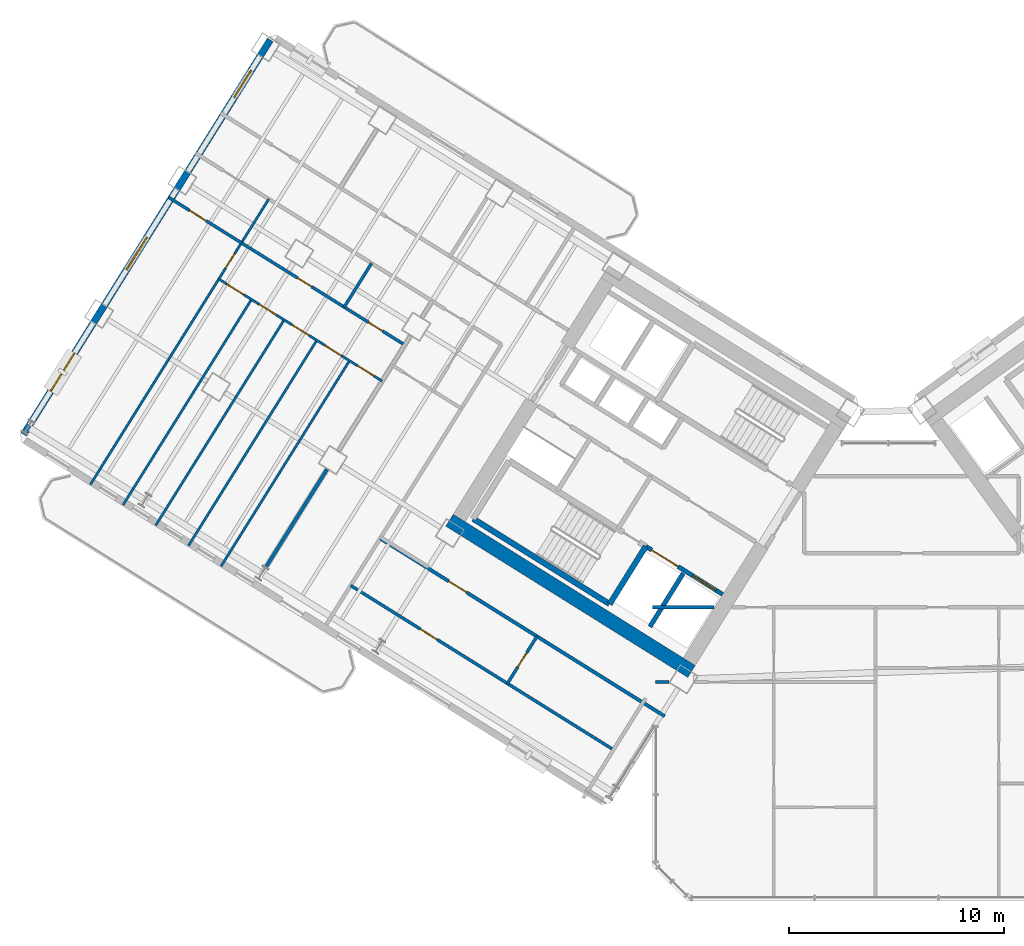
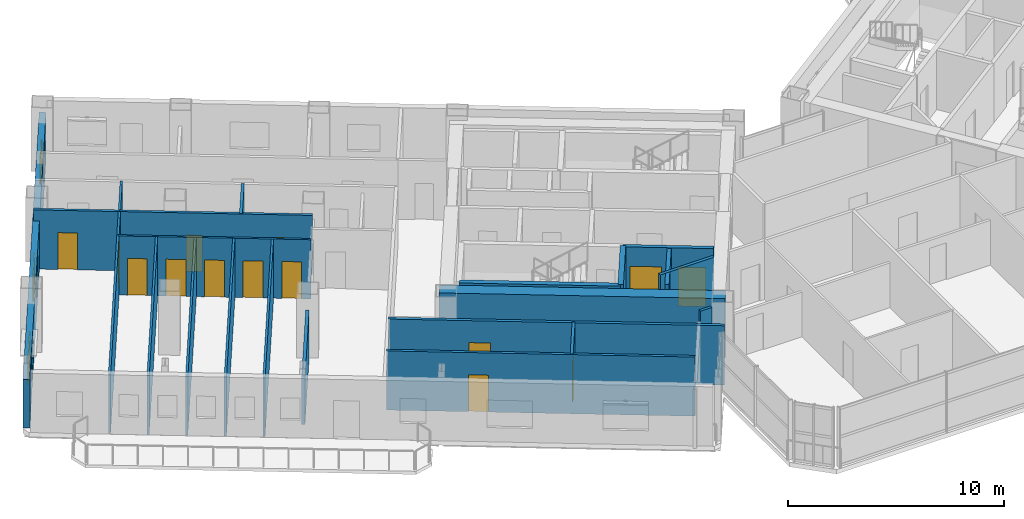
# One storey, part 15 of 24: 21 walls, 14 doors, 3 windows, 17 openings.
"""IFC4 building model written with IfcOpenShell, lengths in metres."""

from ifc_helpers import new_model, si_unit, direction, frame, frame_2d, origin, place, context, subcontext, project, spatial, rectangle, extrude, source, transform, mapped, material, layer, layer_set, type_object, element, fill, save


model = new_model("IFC4")

# Units and contexts
model_context = context("Model", 3, precision=1e-05, world=origin(), true_north=direction((0.0, 1.0)))
body_context = subcontext(model_context, "Body", "Model", "MODEL_VIEW")
ifc_project = project(units=[si_unit("LENGTHUNIT", "METRE"), si_unit("AREAUNIT", "SQUARE_METRE"), si_unit("VOLUMEUNIT", "CUBIC_METRE"), si_unit("PLANEANGLEUNIT", "RADIAN"), si_unit("MASSUNIT", "GRAM", prefix="KILO")], contexts=[model_context])

# Site, building, storey
site_placement = place(None, origin())
site = spatial("IfcSite", under=ifc_project, at=site_placement, CompositionType="ELEMENT")
building_placement = place(site_placement, origin())
building = spatial("IfcBuilding", under=site, at=building_placement, Name="Tlacorven Tower", CompositionType="ELEMENT")
storey_placement = place(building_placement, frame((0.0, 0.0, 31.199951171875)))
storey = spatial("IfcBuildingStorey", under=building, at=storey_placement, Name="L07", CompositionType="ELEMENT", Elevation=31.199951171875)

# Walls
ifc_material_1 = material(Name="Concrete C60/75", Category="concrete")
ifc_layer_1 = layer(ifc_material_1, 0.64990234375)
ifc_layer_set_1 = layer_set([ifc_layer_1], Name="Concrete C60/75")
wall_type_1 = type_object("IfcWallType", Name="WL-COR-650", PredefinedType="SHEAR", material=ifc_layer_set_1)
wall_1_placement = place(storey_placement, frame((33.40869140625, 12.449951171875, 0.0), z_axis=(0.0, 0.0, 1.0), x_axis=(-0.848051132073, 0.529914405721, 0.0)))
element("IfcWall", 1, at=wall_1_placement, inside=storey, type_object=wall_type_1, Name="L07 W core shear wall S2", PredefinedType="SHEAR", context=body_context, shape_type="SweptSolid", body=[
    extrude(rectangle(XDim=13.239990234375, YDim=0.64990234375, at=frame_2d((6.6201171875, 0.0))), origin(), (0.0, 0.0, 1.0), 3.35009765625),
])
ifc_material_2 = material(Name="Gypsum plasterboard acoustic partition", Category="gypsum")
ifc_layer_2 = layer(ifc_material_2, 0.159912109375)
ifc_layer_set_2 = layer_set([ifc_layer_2], Name="Gypsum plasterboard acoustic partition")
wall_type_2 = type_object("IfcWallType", Name="WL-DEM-160", PredefinedType="PARTITIONING", material=ifc_layer_set_2)
wall_2_placement = place(storey_placement, frame((16.4921875, 21.8271484375, 0.0), z_axis=(0.0, 0.0, 1.0), x_axis=(-0.529904608059, -0.848057254175, 0.0)))
element("IfcWall", 2, at=wall_2_placement, inside=storey, type_object=wall_type_2, Name="L07 WN Demising Wall 1", PredefinedType="PARTITIONING", context=body_context, shape_type="SweptSolid", body=[
    extrude(rectangle(XDim=5.350830078125, YDim=0.159912109375, at=frame_2d((2.67529296875, 0.0))), origin(), (0.0, 0.0, 1.0), 2.72509765625),
])

# Wall, opening, door
wall_3_placement = place(storey_placement, frame((32.164306640625, 10.373779296875, 0.0), z_axis=(0.0, 0.0, 1.0), x_axis=(-0.848044107957, 0.529925646633, 0.0)))
wall_3 = element("IfcWall", 3, at=wall_3_placement, inside=storey, type_object=wall_type_2, Name="L07 partition 69", PredefinedType="PARTITIONING", context=body_context, shape_type="SweptSolid", body=[
    extrude(rectangle(XDim=15.570068359375, YDim=0.159912109375, at=frame_2d((7.78515625, 0.0))), origin(), (0.0, 0.0, 1.0), 3.340087890625),
])
opening_1_placement = place(wall_3_placement, frame((10.830078125, 0.0, 0.0)))
opening_1 = element("IfcOpeningElement", 4, at=opening_1_placement, cuts=wall_3, Name="Opening D11", PredefinedType="OPENING", context=body_context, shape_type="SweptSolid", body=[
    extrude(rectangle(XDim=1.0, YDim=2.10009765625, at=frame_2d((0.5, 1.050048828125))), frame((0.0, 0.08984375, 0.0), z_axis=(0.0, -1.0, 0.0), x_axis=(1.0, 0.0, 0.0)), (0.0, 0.0, 1.0), 0.179931640625),
])
ifc_material_3 = material(Name="Fire-rated steel door assembly", Category="steel")
door_type_1 = type_object("IfcDoorType", Name="DR-FLT-FD60-1000", OperationType="NOTDEFINED", PredefinedType="DOOR", material=ifc_material_3)
shared_shape_1 = source(origin(), body_context, "Body", "SweptSolid", [
    extrude(rectangle(XDim=1.0, YDim=2.10009765625, at=frame_2d((0.5, 1.050048828125))), frame((0.0, 0.02490234375, 0.0), z_axis=(0.0, -1.0, 0.0), x_axis=(1.0, 0.0, 0.0)), (0.0, 0.0, 1.0), 0.050048828125),
])
door_1_placement = place(opening_1_placement, origin())
door_1 = element("IfcDoor", 5, at=door_1_placement, inside=storey, type_object=door_type_1, Name="L07 door 038", OperationType="SINGLE_SWING_LEFT", OverallHeight=2.10009765625, OverallWidth=1.0, PredefinedType="DOOR", context=body_context, shape_type="MappedRepresentation", body=[
    mapped(shared_shape_1, transform((0.0, 0.0, 0.0), scale=1.0)),
])
fill(opening_1, door_1)

# Wall
wall_4_placement = place(storey_placement, frame((31.60009765625, 15.419921875, 0.0), z_axis=(0.0, 0.0, 1.0), x_axis=(1.0, 0.0, 0.0)))
element("IfcWall", 6, at=wall_4_placement, inside=storey, type_object=wall_type_2, Name="L07 Knuckle Corridor South Wall", PredefinedType="PARTITIONING", context=body_context, shape_type="SweptSolid", body=[
    extrude(rectangle(XDim=2.8662109375, YDim=0.159912109375, at=frame_2d((1.43310546875, 0.0))), origin(), (0.0, 0.0, 1.0), 3.340087890625),
])

# Wall, openings, windows
ifc_material_4 = material(Name="Precast concrete C45/55", Category="concrete")
ifc_layer_3 = layer(ifc_material_4, 0.320068359375)
ifc_layer_set_3 = layer_set([ifc_layer_3], Name="Precast concrete C45/55")
wall_type_3 = type_object("IfcWallType", Name="WL-EXT-320", PredefinedType="STANDARD", material=ifc_layer_set_3)
wall_5_placement = place(storey_placement, frame((2.41455078125, 23.452392578125, 0.0), z_axis=(0.0, 0.0, 1.0), x_axis=(0.52991049553, 0.848053575387, 0.0)))
wall_5 = element("IfcWall", 7, at=wall_5_placement, inside=storey, type_object=wall_type_3, Name="L07 Masonry-Frame Recessed Facade Wall 2", PredefinedType="STANDARD", context=body_context, shape_type="SweptSolid", body=[
    extrude(rectangle(XDim=21.58740234375, YDim=0.320068359375, at=frame_2d((10.793701171875, 0.0))), origin(), (0.0, 0.0, 1.0), 2.72509765625),
])
opening_2_placement = place(wall_5_placement, frame((2.356201171875, 0.0, 0.800048828125)))
opening_2 = element("IfcOpeningElement", 8, at=opening_2_placement, cuts=wall_5, Name="Opening WN04", PredefinedType="OPENING", context=body_context, shape_type="SweptSolid", body=[
    extrude(rectangle(XDim=2.10009765625, YDim=1.550048828125, at=frame_2d((1.050048828125, 0.77490234375))), frame((0.0, 0.169921875, 0.0), z_axis=(0.0, -1.0, 0.0), x_axis=(1.0, 0.0, 0.0)), (0.0, 0.0, 1.0), 0.340087890625),
])
opening_3_placement = place(wall_5_placement, frame((9.0087890625, 0.0, 0.85009765625)))
opening_3 = element("IfcOpeningElement", 9, at=opening_3_placement, cuts=wall_5, Name="Opening WN01", PredefinedType="OPENING", context=body_context, shape_type="SweptSolid", body=[
    extrude(rectangle(XDim=1.800048828125, YDim=1.5, at=frame_2d((0.89990234375, 0.75))), frame((0.0, 0.169921875, 0.0), z_axis=(0.0, -1.0, 0.0), x_axis=(1.0, 0.0, 0.0)), (0.0, 0.0, 1.0), 0.340087890625),
])
opening_4_placement = place(wall_5_placement, frame((18.43359375, 0.0, 0.85009765625)))
opening_4 = element("IfcOpeningElement", 10, at=opening_4_placement, cuts=wall_5, Name="Opening WN02", PredefinedType="OPENING", context=body_context, shape_type="SweptSolid", body=[
    extrude(rectangle(XDim=1.5, YDim=1.5, at=frame_2d((0.75, 0.75))), frame((0.0, 0.169921875, 0.0), z_axis=(0.0, -1.0, 0.0), x_axis=(1.0, 0.0, 0.0)), (0.0, 0.0, 1.0), 0.340087890625),
])
ifc_material_5 = material(Name="Dark solar low-E double glazing in anodised aluminium frame", Category="aluminium")
window_type_1 = type_object("IfcWindowType", Name="WN-APT-2100X1750", PartitioningType="SINGLE_PANEL", PredefinedType="WINDOW", material=ifc_material_5)
shared_shape_2 = source(origin(), body_context, "Body", "SweptSolid", [
    extrude(rectangle(XDim=2.10009765625, YDim=1.550048828125, at=frame_2d((1.050048828125, 0.77490234375))), frame((0.0, 0.030029296875, 0.0), z_axis=(0.0, -1.0, 0.0), x_axis=(1.0, 0.0, 0.0)), (0.0, 0.0, 1.0), 0.06005859375),
])
window_1_placement = place(opening_2_placement, origin())
window_1 = element("IfcWindow", 11, at=window_1_placement, inside=storey, type_object=window_type_1, Name="L07 Recessed Masonry-Frame Window L07-02.1", OverallHeight=1.550048828125, OverallWidth=2.10009765625, PartitioningType="SINGLE_PANEL", PredefinedType="WINDOW", context=body_context, shape_type="MappedRepresentation", body=[
    mapped(shared_shape_2, transform((0.0, 0.0, 0.0), scale=1.0)),
])
fill(opening_2, window_1)
window_type_2 = type_object("IfcWindowType", Name="WN-APT-1800X1650", PartitioningType="SINGLE_PANEL", PredefinedType="WINDOW", material=ifc_material_5)
shared_shape_3 = source(origin(), body_context, "Body", "SweptSolid", [
    extrude(rectangle(XDim=1.800048828125, YDim=1.5, at=frame_2d((0.89990234375, 0.75))), frame((0.0, 0.030029296875, 0.0), z_axis=(0.0, -1.0, 0.0), x_axis=(1.0, 0.0, 0.0)), (0.0, 0.0, 1.0), 0.06005859375),
])
window_2_placement = place(opening_3_placement, origin())
window_2 = element("IfcWindow", 12, at=window_2_placement, inside=storey, type_object=window_type_2, Name="L07 Recessed Masonry-Frame Window L07-02.2", OverallHeight=1.5, OverallWidth=1.800048828125, PartitioningType="SINGLE_PANEL", PredefinedType="WINDOW", context=body_context, shape_type="MappedRepresentation", body=[
    mapped(shared_shape_3, transform((0.0, 0.0, 0.0), scale=1.0)),
])
fill(opening_3, window_2)
window_type_3 = type_object("IfcWindowType", Name="WN-APT-1500X1650", PartitioningType="SINGLE_PANEL", PredefinedType="WINDOW", material=ifc_material_5)
shared_shape_4 = source(origin(), body_context, "Body", "SweptSolid", [
    extrude(rectangle(XDim=1.5, YDim=1.5, at=frame_2d((0.75, 0.75))), frame((0.0, 0.030029296875, 0.0), z_axis=(0.0, -1.0, 0.0), x_axis=(1.0, 0.0, 0.0)), (0.0, 0.0, 1.0), 0.06005859375),
])
window_3_placement = place(opening_4_placement, origin())
window_3 = element("IfcWindow", 13, at=window_3_placement, inside=storey, type_object=window_type_3, Name="L07 Recessed Masonry-Frame Window L07-02.3", OverallHeight=1.5, OverallWidth=1.5, PartitioningType="SINGLE_PANEL", PredefinedType="WINDOW", context=body_context, shape_type="MappedRepresentation", body=[
    mapped(shared_shape_4, transform((0.0, 0.0, 0.0), scale=1.0)),
])
fill(opening_4, window_3)

# Wall, opening, door
ifc_material_6 = material(Name="Gypsum plasterboard partition", Category="gypsum")
ifc_layer_4 = layer(ifc_material_6, 0.110107421875)
ifc_layer_set_4 = layer_set([ifc_layer_4], Name="Gypsum plasterboard partition")
wall_type_4 = type_object("IfcWallType", Name="WL-INT-110", PredefinedType="PARTITIONING", material=ifc_layer_set_4)
wall_6_placement = place(storey_placement, frame((13.79248046875, 34.376708984375, 0.0), z_axis=(0.0, 0.0, 1.0), x_axis=(-0.529924475241, -0.848044839935, 0.0)))
wall_6 = element("IfcWall", 14, at=wall_6_placement, inside=storey, type_object=wall_type_4, Name="L07 partition 57", PredefinedType="PARTITIONING", context=body_context, shape_type="SweptSolid", body=[
    extrude(rectangle(XDim=15.619873046875, YDim=0.110107421875, at=frame_2d((7.81005859375, 0.0))), origin(), (0.0, 0.0, 1.0), 3.340087890625),
])
opening_5_placement = place(wall_6_placement, frame((3.0, 0.0, 0.0)))
opening_5 = element("IfcOpeningElement", 15, at=opening_5_placement, cuts=wall_6, Name="Opening D22", PredefinedType="OPENING", context=body_context, shape_type="SweptSolid", body=[
    extrude(rectangle(XDim=0.780029296875, YDim=2.050048828125, at=frame_2d((0.39013671875, 1.02490234375))), frame((0.0, 0.06494140625, 0.0), z_axis=(0.0, -1.0, 0.0), x_axis=(1.0, 0.0, 0.0)), (0.0, 0.0, 1.0), 0.130126953125),
])
ifc_material_7 = material(Name="Powder-coated aluminium and timber door", Category="wood")
door_type_2 = type_object("IfcDoorType", Name="DR-INT-WET-0780", OperationType="NOTDEFINED", PredefinedType="DOOR", material=ifc_material_7)
shared_shape_5 = source(origin(), body_context, "Body", "SweptSolid", [
    extrude(rectangle(XDim=0.780029296875, YDim=2.050048828125, at=frame_2d((0.39013671875, 1.02490234375))), frame((0.0, 0.02490234375, 0.0), z_axis=(0.0, -1.0, 0.0), x_axis=(1.0, 0.0, 0.0)), (0.0, 0.0, 1.0), 0.050048828125),
])
door_2_placement = place(opening_5_placement, origin())
door_2 = element("IfcDoor", 16, at=door_2_placement, inside=storey, type_object=door_type_2, Name="L07 door 027", OperationType="SINGLE_SWING_RIGHT", OverallHeight=2.050048828125, OverallWidth=0.780029296875, PredefinedType="DOOR", context=body_context, shape_type="MappedRepresentation", body=[
    mapped(shared_shape_5, transform((0.0, 0.0, 0.0), scale=1.0)),
])
fill(opening_5, door_2)

# Wall, openings, doors
wall_7_placement = place(storey_placement, frame((19.052978515625, 25.9248046875, 0.0), z_axis=(0.0, 0.0, 1.0), x_axis=(-0.848051995289, 0.529913024266, 0.0)))
wall_7 = element("IfcWall", 17, at=wall_7_placement, inside=storey, type_object=wall_type_4, Name="L07 partition 62", PredefinedType="PARTITIONING", context=body_context, shape_type="SweptSolid", body=[
    extrude(rectangle(XDim=8.940185546875, YDim=0.110107421875, at=frame_2d((4.47021484375, 0.0))), origin(), (0.0, 0.0, 1.0), 3.340087890625),
])
opening_6_placement = place(wall_7_placement, frame((0.43408203125, 0.0, 0.0)))
opening_6 = element("IfcOpeningElement", 18, at=opening_6_placement, cuts=wall_7, Name="Opening D12", PredefinedType="OPENING", context=body_context, shape_type="SweptSolid", body=[
    extrude(rectangle(XDim=0.919921875, YDim=2.080078125, at=frame_2d((0.4599609375, 1.0400390625))), frame((0.0, 0.06494140625, 0.0), z_axis=(0.0, -1.0, 0.0), x_axis=(1.0, 0.0, 0.0)), (0.0, 0.0, 1.0), 0.130126953125),
])
opening_7_placement = place(wall_7_placement, frame((2.221923828125, 0.0, 0.0)))
opening_7 = element("IfcOpeningElement", 19, at=opening_7_placement, cuts=wall_7, Name="Opening D12", PredefinedType="OPENING", context=body_context, shape_type="SweptSolid", body=[
    extrude(rectangle(XDim=0.919921875, YDim=2.080078125, at=frame_2d((0.4599609375, 1.0400390625))), frame((0.0, 0.06494140625, 0.0), z_axis=(0.0, -1.0, 0.0), x_axis=(1.0, 0.0, 0.0)), (0.0, 0.0, 1.0), 0.130126953125),
])
opening_8_placement = place(wall_7_placement, frame((4.010009765625, 0.0, 0.0)))
opening_8 = element("IfcOpeningElement", 20, at=opening_8_placement, cuts=wall_7, Name="Opening D12", PredefinedType="OPENING", context=body_context, shape_type="SweptSolid", body=[
    extrude(rectangle(XDim=0.919921875, YDim=2.080078125, at=frame_2d((0.4599609375, 1.0400390625))), frame((0.0, 0.06494140625, 0.0), z_axis=(0.0, -1.0, 0.0), x_axis=(1.0, 0.0, 0.0)), (0.0, 0.0, 1.0), 0.130126953125),
])
opening_9_placement = place(wall_7_placement, frame((5.798095703125, 0.0, 0.0)))
opening_9 = element("IfcOpeningElement", 21, at=opening_9_placement, cuts=wall_7, Name="Opening D12", PredefinedType="OPENING", context=body_context, shape_type="SweptSolid", body=[
    extrude(rectangle(XDim=0.919921875, YDim=2.080078125, at=frame_2d((0.4599609375, 1.0400390625))), frame((0.0, 0.06494140625, 0.0), z_axis=(0.0, -1.0, 0.0), x_axis=(1.0, 0.0, 0.0)), (0.0, 0.0, 1.0), 0.130126953125),
])
opening_10_placement = place(wall_7_placement, frame((7.5859375, 0.0, 0.0)))
opening_10 = element("IfcOpeningElement", 22, at=opening_10_placement, cuts=wall_7, Name="Opening D12", PredefinedType="OPENING", context=body_context, shape_type="SweptSolid", body=[
    extrude(rectangle(XDim=0.919921875, YDim=2.080078125, at=frame_2d((0.4599609375, 1.0400390625))), frame((0.0, 0.06494140625, 0.0), z_axis=(0.0, -1.0, 0.0), x_axis=(1.0, 0.0, 0.0)), (0.0, 0.0, 1.0), 0.130126953125),
])
door_type_3 = type_object("IfcDoorType", Name="DR-INT-ROOM-0920", OperationType="NOTDEFINED", PredefinedType="DOOR", material=ifc_material_7)
shared_shape_6 = source(origin(), body_context, "Body", "SweptSolid", [
    extrude(rectangle(XDim=0.919921875, YDim=2.080078125, at=frame_2d((0.4599609375, 1.0400390625))), frame((0.0, 0.02490234375, 0.0), z_axis=(0.0, -1.0, 0.0), x_axis=(1.0, 0.0, 0.0)), (0.0, 0.0, 1.0), 0.050048828125),
])
door_3_placement = place(opening_6_placement, origin())
door_3 = element("IfcDoor", 23, at=door_3_placement, inside=storey, type_object=door_type_3, Name="L07 door 030", OperationType="SINGLE_SWING_LEFT", OverallHeight=2.080078125, OverallWidth=0.919921875, PredefinedType="DOOR", context=body_context, shape_type="MappedRepresentation", body=[
    mapped(shared_shape_6, transform((0.0, 0.0, 0.0), scale=1.0)),
])
fill(opening_6, door_3)
door_4_placement = place(opening_7_placement, origin())
door_4 = element("IfcDoor", 24, at=door_4_placement, inside=storey, type_object=door_type_3, Name="L07 door 031", OperationType="SINGLE_SWING_RIGHT", OverallHeight=2.080078125, OverallWidth=0.919921875, PredefinedType="DOOR", context=body_context, shape_type="MappedRepresentation", body=[
    mapped(shared_shape_6, transform((0.0, 0.0, 0.0), scale=1.0)),
])
fill(opening_7, door_4)
door_5_placement = place(opening_8_placement, origin())
door_5 = element("IfcDoor", 25, at=door_5_placement, inside=storey, type_object=door_type_3, Name="L07 door 032", OperationType="SINGLE_SWING_LEFT", OverallHeight=2.080078125, OverallWidth=0.919921875, PredefinedType="DOOR", context=body_context, shape_type="MappedRepresentation", body=[
    mapped(shared_shape_6, transform((0.0, 0.0, 0.0), scale=1.0)),
])
fill(opening_8, door_5)
door_6_placement = place(opening_9_placement, origin())
door_6 = element("IfcDoor", 26, at=door_6_placement, inside=storey, type_object=door_type_3, Name="L07 door 033", OperationType="SINGLE_SWING_RIGHT", OverallHeight=2.080078125, OverallWidth=0.919921875, PredefinedType="DOOR", context=body_context, shape_type="MappedRepresentation", body=[
    mapped(shared_shape_6, transform((0.0, 0.0, 0.0), scale=1.0)),
])
fill(opening_9, door_6)
door_7_placement = place(opening_10_placement, origin())
door_7 = element("IfcDoor", 27, at=door_7_placement, inside=storey, type_object=door_type_3, Name="L07 door 034", OperationType="SINGLE_SWING_LEFT", OverallHeight=2.080078125, OverallWidth=0.919921875, PredefinedType="DOOR", context=body_context, shape_type="MappedRepresentation", body=[
    mapped(shared_shape_6, transform((0.0, 0.0, 0.0), scale=1.0)),
])
fill(opening_10, door_7)

# Walls
for number, where, z_axis, x_axis, name in (
    (28, (17.53662109375, 26.872314453125, 0.0), (0.0, 0.0, 1.0), (-0.529922792977, -0.848045891142, 0.0), "L07 partition 63"),
    (29, (16.020263671875, 27.81982421875, 0.0), (0.0, 0.0, 1.0), (-0.529922792977, -0.848045891142, 0.0), "L07 partition 64"),
    (30, (14.50390625, 28.767333984375, 0.0), (0.0, 0.0, 1.0), (-0.529922792977, -0.848045891142, 0.0), "L07 partition 65"),
    (31, (12.987548828125, 29.71484375, 0.0), (0.0, 0.0, 1.0), (-0.529922792977, -0.848045891142, 0.0), "L07 partition 66"),
):
    element("IfcWall", number, at=place(storey_placement, frame(where, z_axis=z_axis, x_axis=x_axis)), inside=storey, type_object=wall_type_4, Name=name, PredefinedType="PARTITIONING", context=body_context, shape_type="SweptSolid", body=[
        extrude(rectangle(XDim=11.239990234375, YDim=0.110107421875, at=frame_2d((5.6201171875, 0.0))), origin(), (0.0, 0.0, 1.0), 3.340087890625),
    ])

# Wall, opening, door
ifc_material_8 = material(Name="Moisture-resistant gypsum plumbing wall", Category="gypsum")
ifc_layer_5 = layer(ifc_material_8, 0.139892578125)
ifc_layer_set_5 = layer_set([ifc_layer_5], Name="Moisture-resistant gypsum plumbing wall")
wall_type_5 = type_object("IfcWallType", Name="WL-PLM-140", PredefinedType="PLUMBINGWALL", material=ifc_layer_set_5)
wall_8_placement = place(storey_placement, frame((12.5205078125, 32.341552734375, 0.0), z_axis=(0.0, 0.0, 1.0), x_axis=(-0.848043100782, 0.52992725842, 0.0)))
wall_8 = element("IfcWall", 32, at=wall_8_placement, inside=storey, type_object=wall_type_5, Name="L07 partition 59", PredefinedType="PLUMBINGWALL", context=body_context, shape_type="SweptSolid", body=[
    extrude(rectangle(XDim=3.97998046875, YDim=0.139892578125, at=frame_2d((1.989990234375, 0.0))), origin(), (0.0, 0.0, 1.0), 3.340087890625),
])
opening_11_placement = place(wall_8_placement, frame((1.929931640625, 0.0, 0.0)))
opening_11 = element("IfcOpeningElement", 33, at=opening_11_placement, cuts=wall_8, Name="Opening D12", PredefinedType="OPENING", context=body_context, shape_type="SweptSolid", body=[
    extrude(rectangle(XDim=0.919921875, YDim=2.080078125, at=frame_2d((0.4599609375, 1.0400390625))), frame((0.0, 0.080078125, 0.0), z_axis=(0.0, -1.0, 0.0), x_axis=(1.0, 0.0, 0.0)), (0.0, 0.0, 1.0), 0.159912109375),
])
door_8_placement = place(opening_11_placement, origin())
door_8 = element("IfcDoor", 34, at=door_8_placement, inside=storey, type_object=door_type_3, Name="L07 door 026", OperationType="SINGLE_SWING_LEFT", OverallHeight=2.080078125, OverallWidth=0.919921875, PredefinedType="DOOR", context=body_context, shape_type="MappedRepresentation", body=[
    mapped(shared_shape_6, transform((0.0, 0.0, 0.0), scale=1.0)),
])
fill(opening_11, door_8)

# Wall, openings, doors
wall_9_placement = place(storey_placement, frame((20.10205078125, 27.60400390625, 0.0), z_axis=(0.0, 0.0, 1.0), x_axis=(-0.848044326704, 0.52992529657, 0.0)))
wall_9 = element("IfcWall", 35, at=wall_9_placement, inside=storey, type_object=wall_type_5, Name="L07 partition 60", PredefinedType="PLUMBINGWALL", context=body_context, shape_type="SweptSolid", body=[
    extrude(rectangle(XDim=8.93994140625, YDim=0.139892578125, at=frame_2d((4.469970703125, 0.0))), origin(), (0.0, 0.0, 1.0), 3.340087890625),
])
opening_12_placement = place(wall_9_placement, frame((5.08740234375, 0.0, 0.0)))
opening_12 = element("IfcOpeningElement", 36, at=opening_12_placement, cuts=wall_9, Name="Opening D22", PredefinedType="OPENING", context=body_context, shape_type="SweptSolid", body=[
    extrude(rectangle(XDim=0.780029296875, YDim=2.050048828125, at=frame_2d((0.39013671875, 1.02490234375))), frame((0.0, 0.080078125, 0.0), z_axis=(0.0, -1.0, 0.0), x_axis=(1.0, 0.0, 0.0)), (0.0, 0.0, 1.0), 0.159912109375),
])
opening_13_placement = place(wall_9_placement, frame((1.217529296875, 0.0, 0.0)))
opening_13 = element("IfcOpeningElement", 37, at=opening_13_placement, cuts=wall_9, Name="Opening D22", PredefinedType="OPENING", context=body_context, shape_type="SweptSolid", body=[
    extrude(rectangle(XDim=0.780029296875, YDim=2.050048828125, at=frame_2d((0.39013671875, 1.02490234375))), frame((0.0, 0.080078125, 0.0), z_axis=(0.0, -1.0, 0.0), x_axis=(1.0, 0.0, 0.0)), (0.0, 0.0, 1.0), 0.159912109375),
])
door_9_placement = place(opening_12_placement, origin())
door_9 = element("IfcDoor", 38, at=door_9_placement, inside=storey, type_object=door_type_2, Name="L07 door 028", OperationType="SINGLE_SWING_LEFT", OverallHeight=2.050048828125, OverallWidth=0.780029296875, PredefinedType="DOOR", context=body_context, shape_type="MappedRepresentation", body=[
    mapped(shared_shape_5, transform((0.0, 0.0, 0.0), scale=1.0)),
])
fill(opening_12, door_9)
door_10_placement = place(opening_13_placement, origin())
door_10 = element("IfcDoor", 39, at=door_10_placement, inside=storey, type_object=door_type_2, Name="L07 door 029", OperationType="SINGLE_SWING_RIGHT", OverallHeight=2.050048828125, OverallWidth=0.780029296875, PredefinedType="DOOR", context=body_context, shape_type="MappedRepresentation", body=[
    mapped(shared_shape_5, transform((0.0, 0.0, 0.0), scale=1.0)),
])
fill(opening_13, door_10)

# Wall
wall_10_placement = place(storey_placement, frame((18.562744140625, 31.39599609375, 0.0), z_axis=(0.0, 0.0, 1.0), x_axis=(-0.530008045701, -0.847992612876, 0.0)))
element("IfcWall", 40, at=wall_10_placement, inside=storey, type_object=wall_type_5, Name="L07 partition 61", PredefinedType="PLUMBINGWALL", context=body_context, shape_type="SweptSolid", body=[
    extrude(rectangle(XDim=2.41015625, YDim=0.139892578125, at=frame_2d((1.205078125, 0.0))), origin(), (0.0, 0.0, 1.0), 3.340087890625),
])

# Wall, opening, door
wall_11_placement = place(storey_placement, frame((29.72021484375, 8.85888671875, 0.0), z_axis=(0.0, 0.0, 1.0), x_axis=(-0.848049134363, 0.529917602752, 0.0)))
wall_11 = element("IfcWall", 41, at=wall_11_placement, inside=storey, type_object=wall_type_5, Name="L07 partition 71", PredefinedType="PLUMBINGWALL", context=body_context, shape_type="SweptSolid", body=[
    extrude(rectangle(XDim=14.300048828125, YDim=0.139892578125, at=frame_2d((7.14990234375, 0.0))), origin(), (0.0, 0.0, 1.0), 3.340087890625),
])
opening_14_placement = place(wall_11_placement, frame((9.570068359375, 0.0, 0.0)))
opening_14 = element("IfcOpeningElement", 42, at=opening_14_placement, cuts=wall_11, Name="Opening D12", PredefinedType="OPENING", context=body_context, shape_type="SweptSolid", body=[
    extrude(rectangle(XDim=0.919921875, YDim=2.080078125, at=frame_2d((0.4599609375, 1.0400390625))), frame((0.0, 0.080078125, 0.0), z_axis=(0.0, -1.0, 0.0), x_axis=(1.0, 0.0, 0.0)), (0.0, 0.0, 1.0), 0.159912109375),
])
door_11_placement = place(opening_14_placement, origin())
door_11 = element("IfcDoor", 43, at=door_11_placement, inside=storey, type_object=door_type_3, Name="L07 door 039", OperationType="SINGLE_SWING_RIGHT", OverallHeight=2.080078125, OverallWidth=0.919921875, PredefinedType="DOOR", context=body_context, shape_type="MappedRepresentation", body=[
    mapped(shared_shape_6, transform((0.0, 0.0, 0.0), scale=1.0)),
])
fill(opening_14, door_11)

wall_12_placement = place(storey_placement, frame((26.236572265625, 14.077880859375, 0.0), z_axis=(0.0, 0.0, 1.0), x_axis=(-0.52995640672, -0.848024885824, 0.0)))
wall_12 = element("IfcWall", 44, at=wall_12_placement, inside=storey, type_object=wall_type_5, Name="L07 partition 72", PredefinedType="PLUMBINGWALL", context=body_context, shape_type="SweptSolid", body=[
    extrude(rectangle(XDim=2.579833984375, YDim=0.139892578125, at=frame_2d((1.2900390625, 0.0))), origin(), (0.0, 0.0, 1.0), 3.340087890625),
])
opening_15_placement = place(wall_12_placement, frame((0.89990234375, 0.0, 0.0)))
opening_15 = element("IfcOpeningElement", 45, at=opening_15_placement, cuts=wall_12, Name="Opening D22", PredefinedType="OPENING", context=body_context, shape_type="SweptSolid", body=[
    extrude(rectangle(XDim=0.780029296875, YDim=2.050048828125, at=frame_2d((0.39013671875, 1.02490234375))), frame((0.0, 0.080078125, 0.0), z_axis=(0.0, -1.0, 0.0), x_axis=(1.0, 0.0, 0.0)), (0.0, 0.0, 1.0), 0.159912109375),
])
door_12_placement = place(opening_15_placement, origin())
door_12 = element("IfcDoor", 46, at=door_12_placement, inside=storey, type_object=door_type_2, Name="L07 door 040", OperationType="SINGLE_SWING_LEFT", OverallHeight=2.050048828125, OverallWidth=0.780029296875, PredefinedType="DOOR", context=body_context, shape_type="MappedRepresentation", body=[
    mapped(shared_shape_5, transform((0.0, 0.0, 0.0), scale=1.0)),
])
fill(opening_15, door_12)

# Wall
wall_13_placement = place(storey_placement, frame((31.739990234375, 11.949951171875, 0.0), z_axis=(0.0, 0.0, 1.0), x_axis=(1.0, 0.0, 0.0)))
element("IfcWall", 47, at=wall_13_placement, inside=storey, type_object=wall_type_5, Name="L07 partition 82", PredefinedType="PLUMBINGWALL", context=body_context, shape_type="SweptSolid", body=[
    extrude(rectangle(XDim=0.616943359375, YDim=0.139892578125, at=frame_2d((0.30859375, 0.0))), origin(), (0.0, 0.0, 1.0), 3.340087890625),
])

# Wall, openings, doors
ifc_material_9 = material(Name="Concrete C40/50", Category="concrete")
ifc_layer_6 = layer(ifc_material_9, 0.199951171875)
ifc_layer_set_6 = layer_set([ifc_layer_6], Name="Concrete C40/50")
wall_type_6 = type_object("IfcWallType", Name="WL-SHF-200", PredefinedType="STANDARD", material=ifc_layer_set_6)
wall_14_placement = place(storey_placement, frame((34.84814453125, 16.03125, 0.0), z_axis=(0.0, 0.0, 1.0), x_axis=(-0.848044042236, 0.529925751807, 0.0)))
wall_14 = element("IfcWall", 48, at=wall_14_placement, inside=storey, type_object=wall_type_6, Name="L07 Core W Firefighting Lift Shaft Front Wall", PredefinedType="STANDARD", context=body_context, shape_type="SweptSolid", body=[
    extrude(rectangle(XDim=4.197998046875, YDim=0.199951171875, at=frame_2d((2.09912109375, 0.0))), origin(), (0.0, 0.0, 1.0), 3.340087890625),
])
opening_16_placement = place(wall_14_placement, frame((0.347900390625, 0.0, 0.0)))
opening_16 = element("IfcOpeningElement", 49, at=opening_16_placement, cuts=wall_14, Name="Opening LD03", PredefinedType="OPENING", context=body_context, shape_type="SweptSolid", body=[
    extrude(rectangle(XDim=1.300048828125, YDim=2.199951171875, at=frame_2d((0.64990234375, 1.10009765625))), frame((0.0, 0.10986328125, 0.0), z_axis=(0.0, -1.0, 0.0), x_axis=(1.0, 0.0, 0.0)), (0.0, 0.0, 1.0), 0.219970703125),
])
opening_17_placement = place(wall_14_placement, frame((2.423095703125, 0.0, 0.0)))
opening_17 = element("IfcOpeningElement", 50, at=opening_17_placement, cuts=wall_14, Name="Opening LD04", PredefinedType="OPENING", context=body_context, shape_type="SweptSolid", body=[
    extrude(rectangle(XDim=1.449951171875, YDim=2.25, at=frame_2d((0.72509765625, 1.125))), frame((0.0, 0.10986328125, 0.0), z_axis=(0.0, -1.0, 0.0), x_axis=(1.0, 0.0, 0.0)), (0.0, 0.0, 1.0), 0.219970703125),
])
door_type_4 = type_object("IfcDoorType", Name="DR-LFT-SLID-1300", OperationType="DOUBLE_DOOR_SLIDING", PredefinedType="DOOR", material=ifc_material_3)
shared_shape_7 = source(origin(), body_context, "Body", "SweptSolid", [
    extrude(rectangle(XDim=1.300048828125, YDim=2.199951171875, at=frame_2d((0.64990234375, 1.10009765625))), frame((0.0, 0.02490234375, 0.0), z_axis=(0.0, -1.0, 0.0), x_axis=(1.0, 0.0, 0.0)), (0.0, 0.0, 1.0), 0.050048828125),
])
door_13_placement = place(opening_16_placement, origin())
door_13 = element("IfcDoor", 51, at=door_13_placement, inside=storey, type_object=door_type_4, Name="L07 Lift FFL-W1 Sliding Landing Door", OperationType="DOUBLE_DOOR_SLIDING", OverallHeight=2.199951171875, OverallWidth=1.300048828125, PredefinedType="DOOR", context=body_context, shape_type="MappedRepresentation", body=[
    mapped(shared_shape_7, transform((0.0, 0.0, 0.0), scale=1.0)),
])
fill(opening_16, door_13)
door_type_5 = type_object("IfcDoorType", Name="DR-LFT-SLID-1450", OperationType="DOUBLE_DOOR_SLIDING", PredefinedType="DOOR", material=ifc_material_3)
shared_shape_8 = source(origin(), body_context, "Body", "SweptSolid", [
    extrude(rectangle(XDim=1.449951171875, YDim=2.25, at=frame_2d((0.72509765625, 1.125))), frame((0.0, 0.02490234375, 0.0), z_axis=(0.0, -1.0, 0.0), x_axis=(1.0, 0.0, 0.0)), (0.0, 0.0, 1.0), 0.050048828125),
])
door_14_placement = place(opening_17_placement, origin())
door_14 = element("IfcDoor", 52, at=door_14_placement, inside=storey, type_object=door_type_5, Name="L07 Lift SVL-W1 Sliding Landing Door", OperationType="DOUBLE_DOOR_SLIDING", OverallHeight=2.25, OverallWidth=1.449951171875, PredefinedType="DOOR", context=body_context, shape_type="MappedRepresentation", body=[
    mapped(shared_shape_8, transform((0.0, 0.0, 0.0), scale=1.0)),
])
fill(opening_17, door_14)

# Walls
wall_15_placement = place(storey_placement, frame((33.02880859375, 17.003173828125, 0.0), z_axis=(0.0, 0.0, 1.0), x_axis=(-0.529916267533, -0.848049968695, 0.0)))
element("IfcWall", 53, at=wall_15_placement, inside=storey, type_object=wall_type_6, Name="L07 partition 14", PredefinedType="STANDARD", context=body_context, shape_type="SweptSolid", body=[
    extrude(rectangle(XDim=2.919921875, YDim=0.199951171875, at=frame_2d((1.4599609375, 0.0))), origin(), (0.0, 0.0, 1.0), 3.340087890625),
])
ifc_material_10 = material(Name="Concrete C50/60", Category="concrete")
ifc_layer_7 = layer(ifc_material_10, 0.260009765625)
ifc_layer_set_7 = layer_set([ifc_layer_7], Name="Concrete C50/60")
wall_type_7 = type_object("IfcWallType", Name="WL-STW-260", PredefinedType="SHEAR", material=ifc_layer_set_7)
wall_16_placement = place(storey_placement, frame((29.60498046875, 15.581298828125, 0.0), z_axis=(0.0, 0.0, 1.0), x_axis=(-0.848036911448, 0.529937163087, 0.0)))
element("IfcWall", 54, at=wall_16_placement, inside=storey, type_object=wall_type_7, Name="L07 Stair W1 Far Shear Wall", PredefinedType="SHEAR", context=body_context, shape_type="SweptSolid", body=[
    extrude(rectangle(XDim=7.4599609375, YDim=0.260009765625, at=frame_2d((3.72998046875, 0.0))), origin(), (0.0, 0.0, 1.0), 3.35009765625),
])
wall_17_placement = place(storey_placement, frame((31.2880859375, 18.255859375, 0.0), z_axis=(0.0, 0.0, 1.0), x_axis=(-0.529943379326, -0.848033026897, 0.0)))
element("IfcWall", 55, at=wall_17_placement, inside=storey, type_object=wall_type_7, Name="L07 Stair W1 West Shear Wall", PredefinedType="SHEAR", context=body_context, shape_type="SweptSolid", body=[
    extrude(rectangle(XDim=3.159912109375, YDim=0.260009765625, at=frame_2d((1.580078125, 0.0))), origin(), (0.0, 0.0, 1.0), 3.35009765625),
])

save(model, "model.ifc")
